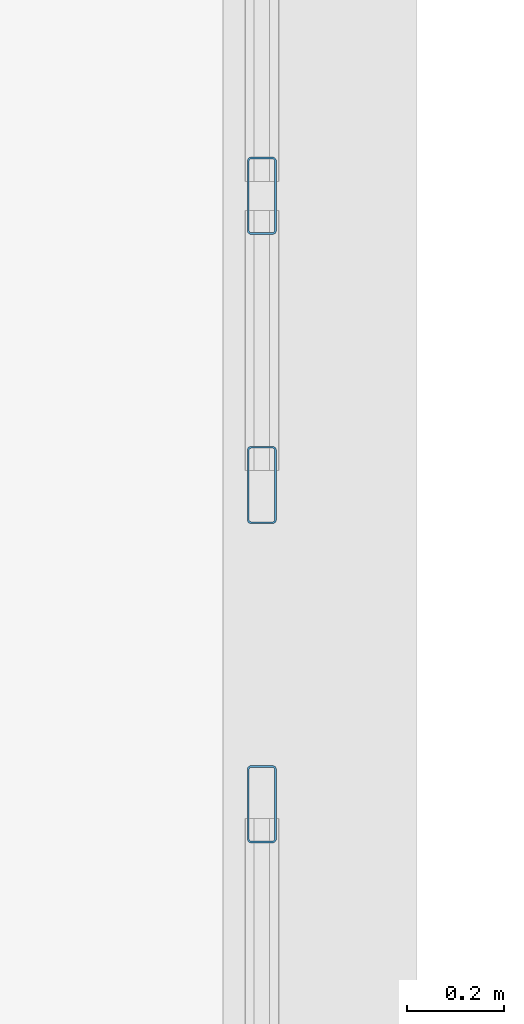
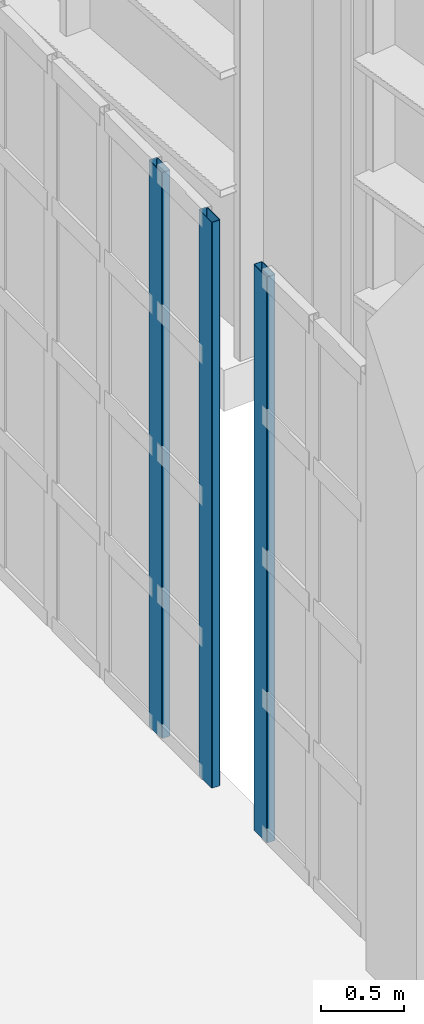
# One storey, part 172 of 372: 3 members, 2 elements without a shape of their own.
"""IFC4 building model written with IfcOpenShell, lengths in metres."""

from ifc_helpers import new_model, si_unit, direction, frame, origin, origin_2d, place, context, subcontext, project, spatial, hollow_rectangle, extrude, material, material_profile, profile_set, type_object, element, aggregate, save


model = new_model("IFC4")

# Units and contexts
model_context = context("Model", 3, precision=1e-05, world=origin(), true_north=direction((0.0, 1.0)))
body_context = subcontext(model_context, "Body", "Model", "MODEL_VIEW")
ifc_project = project(units=[si_unit("LENGTHUNIT", "METRE"), si_unit("AREAUNIT", "SQUARE_METRE"), si_unit("VOLUMEUNIT", "CUBIC_METRE"), si_unit("PLANEANGLEUNIT", "RADIAN"), si_unit("MASSUNIT", "GRAM", prefix="KILO")], contexts=[model_context])

# Site, building, storey
site_placement = place(None, origin())
site = spatial("IfcSite", under=ifc_project, at=site_placement, CompositionType="ELEMENT")
building_placement = place(site_placement, origin())
building = spatial("IfcBuilding", under=site, at=building_placement, Name="Kaelora Sail Theatre", CompositionType="ELEMENT")
storey_placement = place(building_placement, origin())
storey = spatial("IfcBuildingStorey", under=building, at=storey_placement, Name="L00", CompositionType="ELEMENT", Elevation=0.0)

# Curtain wall, member
ifc_material_1 = material(Name="Anodised aluminium and solar-control low-E IGU", Category="aluminium")
curtain_wall_type = type_object("IfcCurtainWallType", Name="ARC-CW-CW-FOY1", PredefinedType="NOTDEFINED", material=ifc_material_1)
curtain_wall_1_placement = place(storey_placement, origin())
curtain_wall_1 = element("IfcCurtainWall", 1, at=curtain_wall_1_placement, inside=storey, type_object=curtain_wall_type, Name="West Interstitial Foyer East Glazed Return L00-02", PredefinedType="NOTDEFINED")
ifc_material_2 = material(Name="Anodised aluminium 6063-T6", Category="aluminium")
ifc_material_profile = material_profile(ifc_material_2, hollow_rectangle(XDim=0.06005859375, YDim=0.159912109375, WallThickness=0.00390625, InnerFilletRadius=0.00390625, OuterFilletRadius=0.008056640625, at=origin_2d()), Name="ALU-MULL 60x160x4")
ifc_profile_set = profile_set([ifc_material_profile], Name="Anodised aluminium 6063-T6")
member_type = type_object("IfcMemberType", Name="ARC-MEM-ML-160", PredefinedType="MULLION", material=ifc_profile_set)
member_1_placement = place(storey_placement, frame((74.280029296875, 47.969970703125, 0.0), z_axis=(0.0, 0.0, 1.0), x_axis=(-1.0, 0.0, 0.0)))
member_1 = element("IfcMember", 2, at=member_1_placement, type_object=member_type, Name="CW-FOY1 mullion 3", PredefinedType="MULLION", context=body_context, shape_type="SweptSolid", body=[
    extrude(hollow_rectangle(XDim=0.06005859375, YDim=0.159912109375, WallThickness=0.00390625, InnerFilletRadius=0.00390625, OuterFilletRadius=0.008056640625, at=origin_2d()), origin(), (0.0, 0.0, 1.0), 4.136962890625),
])
aggregate(curtain_wall_1, [member_1])

# Curtain wall, members
curtain_wall_2_placement = place(storey_placement, origin())
curtain_wall_2 = element("IfcCurtainWall", 3, at=curtain_wall_2_placement, inside=storey, type_object=curtain_wall_type, Name="West Interstitial Foyer East Glazed Return L00-03", PredefinedType="NOTDEFINED")
member_2_placement = place(storey_placement, frame((74.280029296875, 48.6298828125, 0.0), z_axis=(0.0, 0.0, 1.0), x_axis=(-1.0, 0.0, 0.0)))
member_2 = element("IfcMember", 4, at=member_2_placement, type_object=member_type, Name="CW-FOY1 mullion 1", PredefinedType="MULLION", context=body_context, shape_type="SweptSolid", body=[
    extrude(hollow_rectangle(XDim=0.06005859375, YDim=0.159912109375, WallThickness=0.00390625, InnerFilletRadius=0.00390625, OuterFilletRadius=0.008056640625, at=origin_2d()), origin(), (0.0, 0.0, 1.0), 4.136962890625),
])
member_3_placement = place(storey_placement, frame((74.280029296875, 49.227783203125, 0.0), z_axis=(0.0, 0.0, 1.0), x_axis=(-1.0, 0.0, 0.0)))
member_3 = element("IfcMember", 5, at=member_3_placement, type_object=member_type, Name="CW-FOY1 mullion 2", PredefinedType="MULLION", context=body_context, shape_type="SweptSolid", body=[
    extrude(hollow_rectangle(XDim=0.06005859375, YDim=0.159912109375, WallThickness=0.00390625, InnerFilletRadius=0.00390625, OuterFilletRadius=0.008056640625, at=origin_2d()), origin(), (0.0, 0.0, 1.0), 4.136962890625),
])
aggregate(curtain_wall_2, [member_2, member_3])

save(model, "model.ifc")
